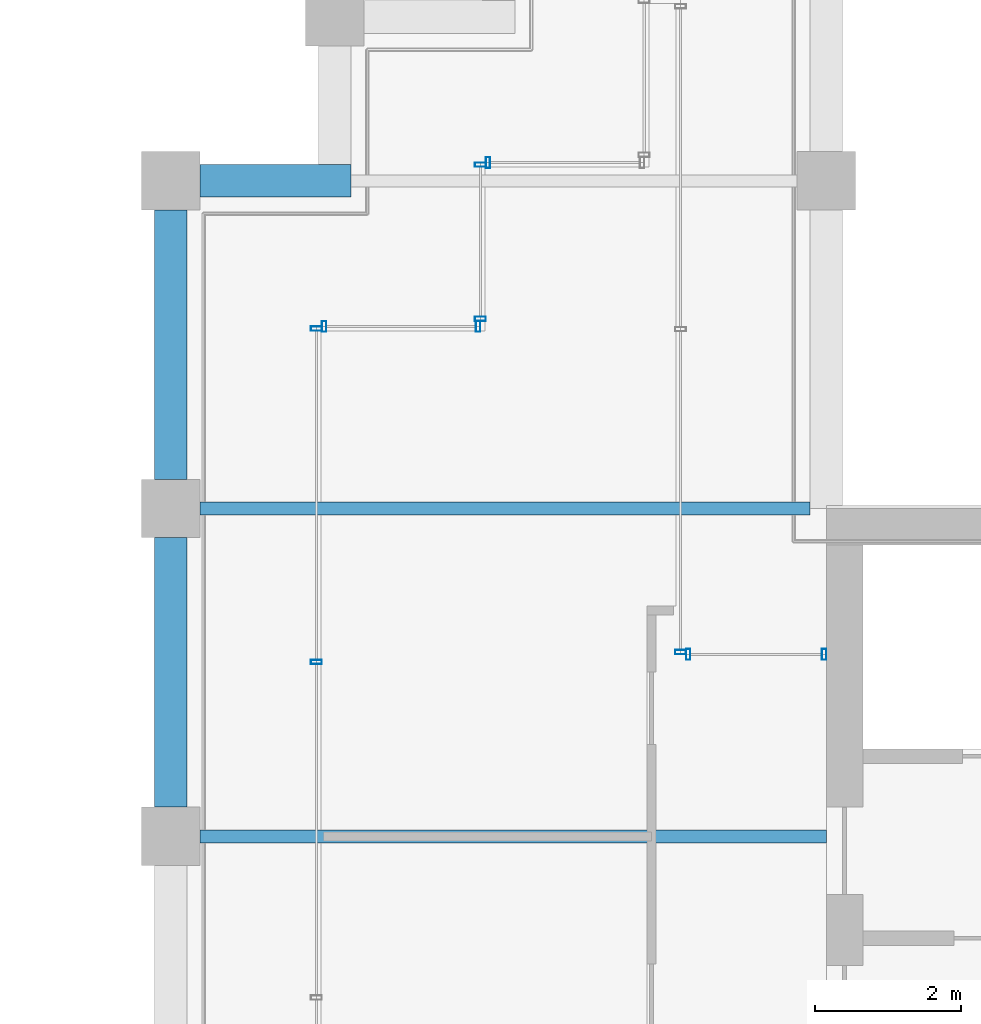
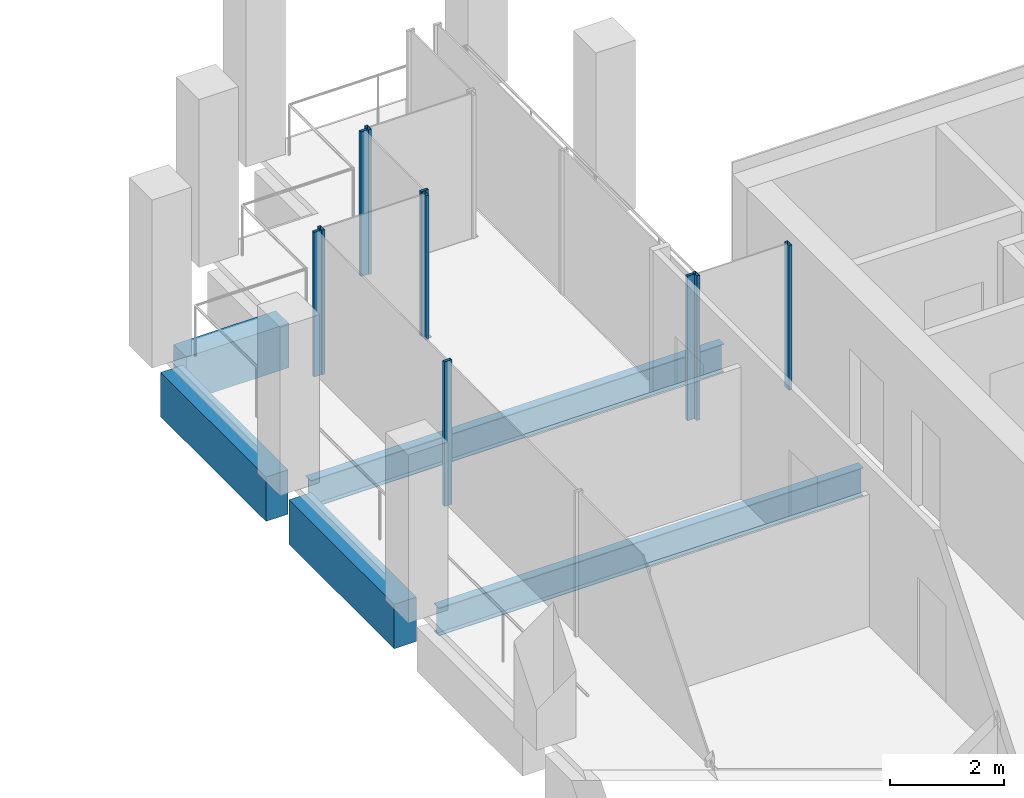
# One storey, part 32 of 41: 10 members, 5 beams, 6 elements without a shape of their own.
"""IFC4 building model written with IfcOpenShell, lengths in metres."""

from ifc_helpers import new_model, si_unit, direction, frame, origin, origin_2d, place, context, subcontext, project, spatial, rectangle, hollow_rectangle, i_section, extrude, material, material_profile, profile_set, type_object, element, aggregate, save


model = new_model("IFC4")

# Units and contexts
model_context = context("Model", 3, precision=1e-05, world=origin(), true_north=direction((0.0, 1.0)))
body_context = subcontext(model_context, "Body", "Model", "MODEL_VIEW")
ifc_project = project(units=[si_unit("LENGTHUNIT", "METRE"), si_unit("AREAUNIT", "SQUARE_METRE"), si_unit("VOLUMEUNIT", "CUBIC_METRE"), si_unit("PLANEANGLEUNIT", "RADIAN"), si_unit("MASSUNIT", "GRAM", prefix="KILO")], contexts=[model_context])

# Site, building, storey
site_placement = place(None, origin())
site = spatial("IfcSite", under=ifc_project, at=site_placement, CompositionType="ELEMENT")
building_placement = place(site_placement, origin())
building = spatial("IfcBuilding", under=site, at=building_placement, Name="Altepetl Exchange Towers", CompositionType="ELEMENT")
storey_placement = place(building_placement, frame((0.0, 0.0, 206.39990234375)))
storey = spatial("IfcBuildingStorey", under=building, at=storey_placement, Name="L52", CompositionType="ELEMENT", Elevation=206.39990234375)

# Beams
ifc_material_1 = material(Name="Steel S355", Category="steel")
ifc_material_profile_1 = material_profile(ifc_material_1, i_section(OverallWidth=0.177978515625, OverallDepth=0.59912109375, WebThickness=0.010009765625, FlangeThickness=0.0126953125, at=origin_2d()), Name="W24X55")
ifc_profile_set_1 = profile_set([ifc_material_profile_1], Name="Steel S355")
beam_type_1 = type_object("IfcBeamType", Name="Floor beam W24X55", PredefinedType="BEAM", material=ifc_profile_set_1)
beam_1_placement = place(storey_placement, frame((94.89990234375, 45.0, -0.449462890625), z_axis=(1.0, 0.0, 0.0), x_axis=(0.0, 1.0, 0.0)))
element("IfcBeam", 1, at=beam_1_placement, inside=storey, type_object=beam_type_1, Name="bm:B:L52:005", PredefinedType="BEAM", context=body_context, shape_type="SweptSolid", body=[
    extrude(i_section(OverallWidth=0.177978515625, OverallDepth=0.59912109375, WebThickness=0.010009765625, FlangeThickness=0.0126953125, at=origin_2d()), origin(), (0.0, 0.0, 1.0), 8.60009765625),
])
beam_2_placement = place(storey_placement, frame((94.89990234375, 49.5, -0.449462890625), z_axis=(1.0, 0.0, 0.0), x_axis=(0.0, 1.0, 0.0)))
element("IfcBeam", 2, at=beam_2_placement, inside=storey, type_object=beam_type_1, Name="bm:B:L52:006", PredefinedType="BEAM", context=body_context, shape_type="SweptSolid", body=[
    extrude(i_section(OverallWidth=0.177978515625, OverallDepth=0.59912109375, WebThickness=0.010009765625, FlangeThickness=0.0126953125, at=origin_2d()), origin(), (0.0, 0.0, 1.0), 8.375),
])

# Curtain wall, members
ifc_material_2 = material(Name="Aluminium 6063-T6 glazing", Category="aluminium")
curtain_wall_type = type_object("IfcCurtainWallType", Name="Loggia glazing system", PredefinedType="NOTDEFINED", material=ifc_material_2)
curtain_wall_1_placement = place(storey_placement, origin())
curtain_wall_1 = element("IfcCurtainWall", 3, at=curtain_wall_1_placement, inside=storey, type_object=curtain_wall_type, Name="CW1 run", PredefinedType="NOTDEFINED")
ifc_material_3 = material(Name="Aluminium 6063-T6", Category="aluminium")
ifc_material_profile_2 = material_profile(ifc_material_3, hollow_rectangle(XDim=0.06005859375, YDim=0.14990234375, WallThickness=0.0029296875, at=origin_2d()), Name="Mullion 60x150 aluminium")
ifc_profile_set_2 = profile_set([ifc_material_profile_2], Name="Aluminium 6063-T6")
member_type = type_object("IfcMemberType", Name="Mullion 60x150 aluminium", PredefinedType="MULLION", material=ifc_profile_set_2)
member_1_placement = place(storey_placement, frame((103.469970703125, 47.5, 0.0), z_axis=(0.0, 0.0, 1.0), x_axis=(-1.0, 0.0, 0.0)))
member_1 = element("IfcMember", 4, at=member_1_placement, type_object=member_type, Name="MU1 mullion", PredefinedType="MULLION", context=body_context, shape_type="SweptSolid", body=[
    extrude(hollow_rectangle(XDim=0.06005859375, YDim=0.14990234375, WallThickness=0.0029296875, at=origin_2d()), origin(), (0.0, 0.0, 1.0), 3.10009765625),
])
member_2_placement = place(storey_placement, frame((101.60498046875, 47.5, 0.0), z_axis=(0.0, 0.0, 1.0), x_axis=(-1.0, 0.0, 0.0)))
member_2 = element("IfcMember", 5, at=member_2_placement, type_object=member_type, Name="MU1 mullion", PredefinedType="MULLION", context=body_context, shape_type="SweptSolid", body=[
    extrude(hollow_rectangle(XDim=0.06005859375, YDim=0.14990234375, WallThickness=0.0029296875, at=origin_2d()), origin(), (0.0, 0.0, 1.0), 3.10009765625),
])
aggregate(curtain_wall_1, [member_1, member_2])

# Curtain wall, member
curtain_wall_2_placement = place(storey_placement, origin())
curtain_wall_2 = element("IfcCurtainWall", 6, at=curtain_wall_2_placement, inside=storey, type_object=curtain_wall_type, Name="CW1 run", PredefinedType="NOTDEFINED")
member_3_placement = place(storey_placement, frame((101.5, 47.530029296875, 0.0), z_axis=(0.0, 0.0, 1.0), x_axis=(0.0, 1.0, 0.0)))
member_3 = element("IfcMember", 7, at=member_3_placement, type_object=member_type, Name="MU1 mullion", PredefinedType="MULLION", context=body_context, shape_type="SweptSolid", body=[
    extrude(hollow_rectangle(XDim=0.06005859375, YDim=0.14990234375, WallThickness=0.0029296875, at=origin_2d()), origin(), (0.0, 0.0, 1.0), 3.10009765625),
])
aggregate(curtain_wall_2, [member_3])

curtain_wall_3_placement = place(storey_placement, origin())
curtain_wall_3 = element("IfcCurtainWall", 8, at=curtain_wall_3_placement, inside=storey, type_object=curtain_wall_type, Name="CW1 run", PredefinedType="NOTDEFINED")
member_4_placement = place(storey_placement, frame((98.85498046875, 54.25, 0.0), z_axis=(0.0, 0.0, 1.0), x_axis=(-1.0, 0.0, 0.0)))
member_4 = element("IfcMember", 9, at=member_4_placement, type_object=member_type, Name="MU1 mullion", PredefinedType="MULLION", context=body_context, shape_type="SweptSolid", body=[
    extrude(hollow_rectangle(XDim=0.06005859375, YDim=0.14990234375, WallThickness=0.0029296875, at=origin_2d()), origin(), (0.0, 0.0, 1.0), 3.10009765625),
])
aggregate(curtain_wall_3, [member_4])

# Curtain wall, members
curtain_wall_4_placement = place(storey_placement, origin())
curtain_wall_4 = element("IfcCurtainWall", 10, at=curtain_wall_4_placement, inside=storey, type_object=curtain_wall_type, Name="CW1 run", PredefinedType="NOTDEFINED")
member_5_placement = place(storey_placement, frame((98.75, 54.219970703125, 0.0), z_axis=(0.0, 0.0, 1.0), x_axis=(0.0, -1.0, 0.0)))
member_5 = element("IfcMember", 11, at=member_5_placement, type_object=member_type, Name="MU1 mullion", PredefinedType="MULLION", context=body_context, shape_type="SweptSolid", body=[
    extrude(hollow_rectangle(XDim=0.06005859375, YDim=0.14990234375, WallThickness=0.0029296875, at=origin_2d()), origin(), (0.0, 0.0, 1.0), 3.10009765625),
])
member_6_placement = place(storey_placement, frame((98.75, 52.10498046875, 0.0), z_axis=(0.0, 0.0, 1.0), x_axis=(0.0, -1.0, 0.0)))
member_6 = element("IfcMember", 12, at=member_6_placement, type_object=member_type, Name="MU1 mullion", PredefinedType="MULLION", context=body_context, shape_type="SweptSolid", body=[
    extrude(hollow_rectangle(XDim=0.06005859375, YDim=0.14990234375, WallThickness=0.0029296875, at=origin_2d()), origin(), (0.0, 0.0, 1.0), 3.10009765625),
])
aggregate(curtain_wall_4, [member_5, member_6])

curtain_wall_5_placement = place(storey_placement, origin())
curtain_wall_5 = element("IfcCurtainWall", 13, at=curtain_wall_5_placement, inside=storey, type_object=curtain_wall_type, Name="CW1 run", PredefinedType="NOTDEFINED")
member_7_placement = place(storey_placement, frame((98.719970703125, 52.0, 0.0), z_axis=(0.0, 0.0, 1.0), x_axis=(-1.0, 0.0, 0.0)))
member_7 = element("IfcMember", 14, at=member_7_placement, type_object=member_type, Name="MU1 mullion", PredefinedType="MULLION", context=body_context, shape_type="SweptSolid", body=[
    extrude(hollow_rectangle(XDim=0.06005859375, YDim=0.14990234375, WallThickness=0.0029296875, at=origin_2d()), origin(), (0.0, 0.0, 1.0), 3.10009765625),
])
member_8_placement = place(storey_placement, frame((96.60498046875, 52.0, 0.0), z_axis=(0.0, 0.0, 1.0), x_axis=(-1.0, 0.0, 0.0)))
member_8 = element("IfcMember", 15, at=member_8_placement, type_object=member_type, Name="MU1 mullion", PredefinedType="MULLION", context=body_context, shape_type="SweptSolid", body=[
    extrude(hollow_rectangle(XDim=0.06005859375, YDim=0.14990234375, WallThickness=0.0029296875, at=origin_2d()), origin(), (0.0, 0.0, 1.0), 3.10009765625),
])
aggregate(curtain_wall_5, [member_7, member_8])

curtain_wall_6_placement = place(storey_placement, origin())
curtain_wall_6 = element("IfcCurtainWall", 16, at=curtain_wall_6_placement, inside=storey, type_object=curtain_wall_type, Name="CW1 run", PredefinedType="NOTDEFINED")
member_9_placement = place(storey_placement, frame((96.5, 51.969970703125, 0.0), z_axis=(0.0, 0.0, 1.0), x_axis=(0.0, -1.0, 0.0)))
member_9 = element("IfcMember", 17, at=member_9_placement, type_object=member_type, Name="MU1 mullion", PredefinedType="MULLION", context=body_context, shape_type="SweptSolid", body=[
    extrude(hollow_rectangle(XDim=0.06005859375, YDim=0.14990234375, WallThickness=0.0029296875, at=origin_2d()), origin(), (0.0, 0.0, 1.0), 3.10009765625),
])
member_10_placement = place(storey_placement, frame((96.5, 47.393798828125, 0.0), z_axis=(0.0, 0.0, 1.0), x_axis=(0.0, -1.0, 0.0)))
member_10 = element("IfcMember", 18, at=member_10_placement, type_object=member_type, Name="MU1 mullion", PredefinedType="MULLION", context=body_context, shape_type="SweptSolid", body=[
    extrude(hollow_rectangle(XDim=0.06005859375, YDim=0.14990234375, WallThickness=0.0029296875, at=origin_2d()), origin(), (0.0, 0.0, 1.0), 3.10009765625),
])
aggregate(curtain_wall_6, [member_9, member_10])

# Beams
ifc_material_4 = material(Name="Concrete C50/60 precast with cantera rosa facing", Category="concrete")
ifc_material_profile_3 = material_profile(ifc_material_4, rectangle(XDim=0.449951171875, YDim=0.949951171875, at=origin_2d()), Name="450 x 950")
ifc_profile_set_3 = profile_set([ifc_material_profile_3], Name="Concrete C50/60 precast with cantera rosa facing")
beam_type_2 = type_object("IfcBeamType", Name="Spandrel beam 450x950 cantera rosa", PredefinedType="SPANDREL", material=ifc_profile_set_3)
beam_3_placement = place(storey_placement, frame((96.97509765625, 54.0, -0.625), z_axis=(-1.0, 0.0, 0.0), x_axis=(0.0, -1.0, 0.0)))
element("IfcBeam", 19, at=beam_3_placement, inside=storey, type_object=beam_type_2, Name="sp:B:L52:014", PredefinedType="SPANDREL", context=body_context, shape_type="SweptSolid", body=[
    extrude(rectangle(XDim=0.449951171875, YDim=0.949951171875, at=origin_2d()), origin(), (0.0, 0.0, 1.0), 2.0751953125),
])
for number, where, z_axis, x_axis, name in (
    (20, (94.5, 53.60009765625, -0.625), (0.0, -1.0, 0.0), (1.0, 0.0, 0.0), "sp:B:L52:015"),
    (21, (94.5, 49.10009765625, -0.625), (0.0, -1.0, 0.0), (1.0, 0.0, 0.0), "sp:B:L52:016"),
):
    element("IfcBeam", number, at=place(storey_placement, frame(where, z_axis=z_axis, x_axis=x_axis)), inside=storey, type_object=beam_type_2, Name=name, PredefinedType="SPANDREL", context=body_context, shape_type="SweptSolid", body=[
        extrude(rectangle(XDim=0.449951171875, YDim=0.949951171875, at=origin_2d()), origin(), (0.0, 0.0, 1.0), 3.7001953125),
    ])

save(model, "model.ifc")
